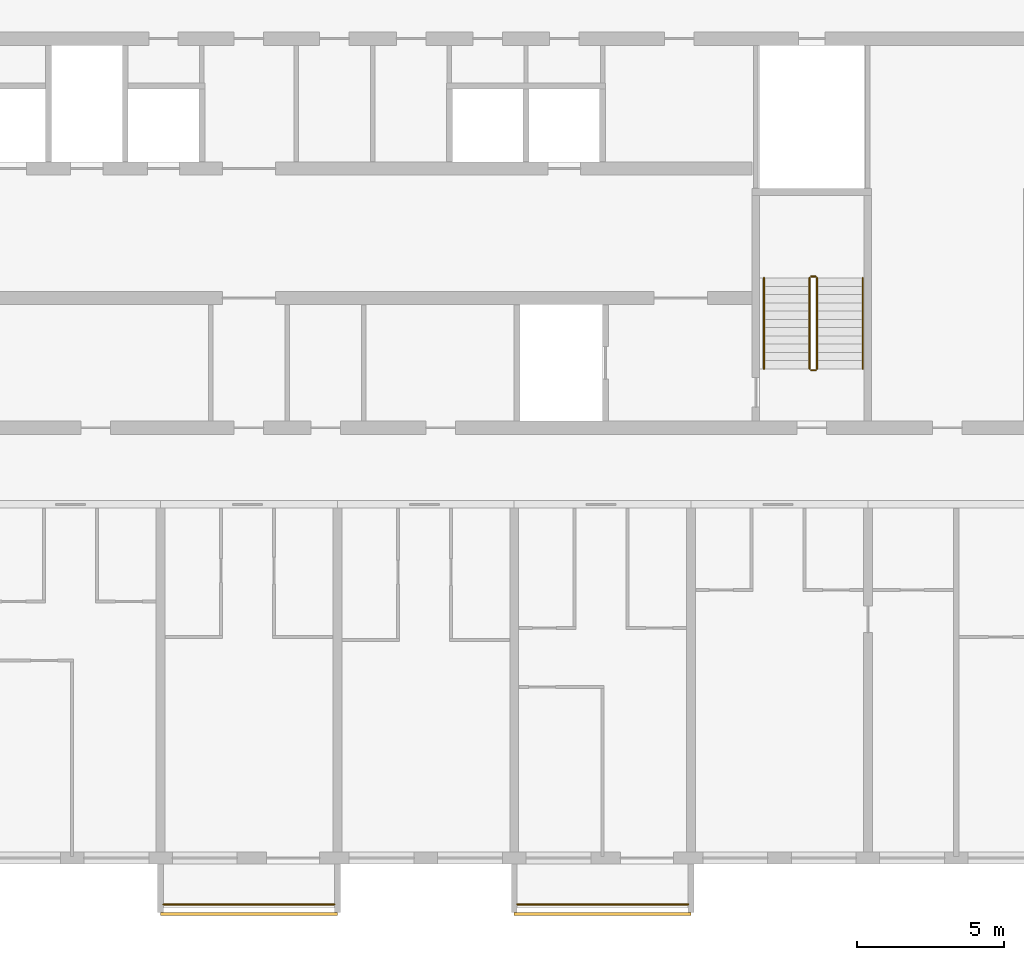
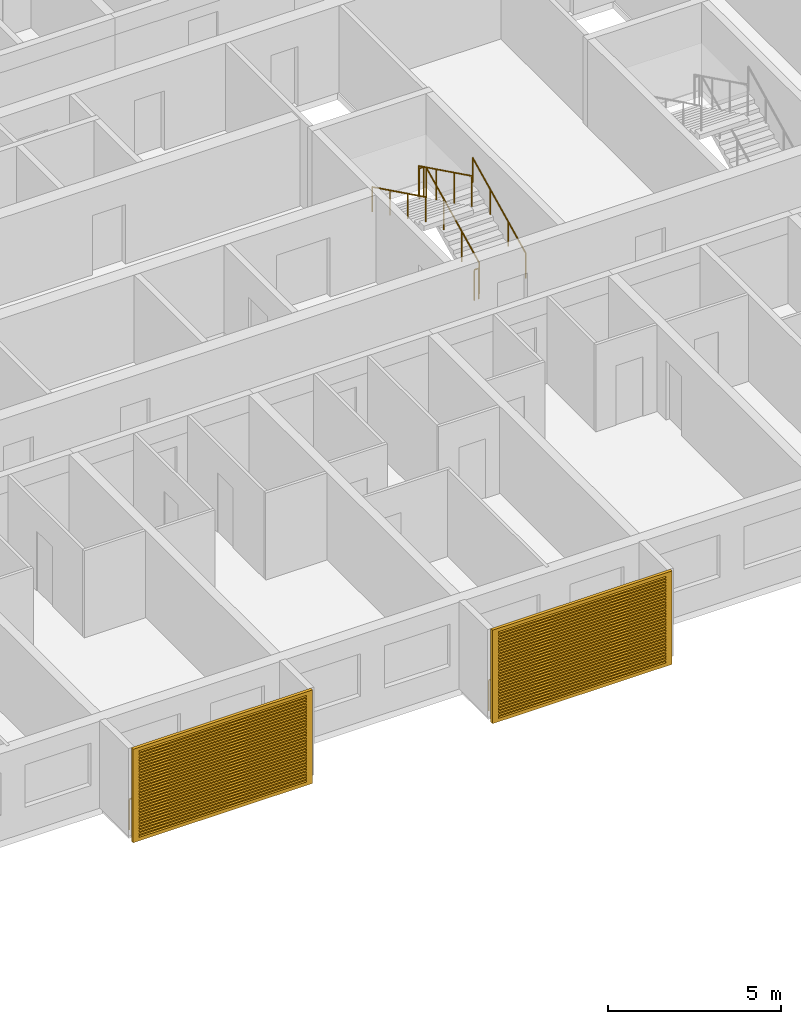
# One storey, part 15 of 31: 8 railings, 2 shading devices.
"""IFC4 building model written with IfcOpenShell, lengths in metres."""

import ifcopenshell
import ifcopenshell.guid

model = None  # the IFC model being written
_history = None  # IfcOwnerHistory: only IFC2X3 demands one
_inside = {}  # id of a spatial element -> (the spatial element, [elements in it])
_under = {}  # id of a project, library or spatial element -> (it, [spatial elements below it])
_declared = {}  # id of a project -> (the project, [libraries it declares])
_typed = {}  # id of a type object -> (the type object, [elements of that type])
_made_of = {}  # id of a material, layer set ... -> (it, [elements and type objects made of it])


def new_model(schema):
    """Start an empty IFC model of exactly this schema.

    Asked for "IFC4X3", IfcOpenShell would pick the latest addendum, in which some entities
    have other attributes; the version numbers below select the first issue.
    IFC2X3 requires an IfcOwnerHistory on every rooted entity: one is made here for all.
    """
    global model, _history
    if schema == "IFC4X3":
        model = ifcopenshell.file(schema_version=(4, 3, 0, 0))
    else:
        model = ifcopenshell.file(schema=schema)
    _inside.clear()
    _under.clear()
    _declared.clear()
    _typed.clear()
    _made_of.clear()
    _history = None
    if model.schema == "IFC2X3":
        org = make("IfcOrganization", Name="unknown")
        user = make(
            "IfcPersonAndOrganization",
            ThePerson=make("IfcPerson", FamilyName="unknown"),
            TheOrganization=org,
        )
        app = make(
            "IfcApplication",
            ApplicationDeveloper=org,
            Version="unknown",
            ApplicationFullName="unknown",
            ApplicationIdentifier="unknown",
        )
        _history = make(
            "IfcOwnerHistory",
            OwningUser=user,
            OwningApplication=app,
            ChangeAction="ADDED",
            CreationDate=0,
        )
    return model


def make(cls, **values):
    """One entity of the class cls with the attributes given. An attribute that is None is left unset."""
    return model.create_entity(
        cls, **{name: value for name, value in values.items() if value is not None}
    )


def rooted(cls, **values):
    """An entity with a GlobalId (a new one), such as an element, a storey or a relation."""
    return make(cls, GlobalId=ifcopenshell.guid.new(), OwnerHistory=_history, **values)


def si_unit(unit_type, name, prefix=None):
    """IfcSIUnit, for example si_unit("LENGTHUNIT", "METRE", prefix="MILLI")."""
    return make("IfcSIUnit", UnitType=unit_type, Prefix=prefix, Name=name)


def assignment(units):
    """IfcUnitAssignment: the units of a project."""
    return None if units is None else make("IfcUnitAssignment", Units=units)


def point(xyz):
    """IfcCartesianPoint."""
    return None if xyz is None else make("IfcCartesianPoint", Coordinates=xyz)


def direction(xyz):
    """IfcDirection."""
    return None if xyz is None else make("IfcDirection", DirectionRatios=xyz)


def frame(location, z_axis=None, x_axis=None):
    """IfcAxis2Placement3D, a coordinate frame: its origin and axes. An axis left out is left unset."""
    return make(
        "IfcAxis2Placement3D",
        Location=point(location),
        Axis=direction(z_axis),
        RefDirection=direction(x_axis),
    )


def frame_2d(location, x_axis=None):
    """IfcAxis2Placement2D, a coordinate frame in the plane: its origin and x axis."""
    return make(
        "IfcAxis2Placement2D", Location=point(location), RefDirection=direction(x_axis)
    )


def origin():
    """The frame at (0, 0, 0) with its axes left unset."""
    return frame((0.0, 0.0, 0.0))


def origin_2d():
    """The frame at (0, 0) in the plane with its x axis left unset."""
    return frame_2d((0.0, 0.0))


def place(relative_to, where):
    """IfcLocalPlacement: puts the frame where relative to a parent placement (None: the world)."""
    return make(
        "IfcLocalPlacement", PlacementRelTo=relative_to, RelativePlacement=where
    )


def context(
    kind, dimensions, precision=None, world=None, true_north=None, identifier=None
):
    """IfcGeometricRepresentationContext, for example the 3D "Model" context."""
    return make(
        "IfcGeometricRepresentationContext",
        ContextIdentifier=identifier,
        ContextType=kind,
        CoordinateSpaceDimension=dimensions,
        Precision=precision,
        WorldCoordinateSystem=world,
        TrueNorth=true_north,
    )


def subcontext(parent, identifier, kind, view, scale=None):
    """IfcGeometricRepresentationSubContext, for example "Body" below "Model"."""
    return make(
        "IfcGeometricRepresentationSubContext",
        ContextIdentifier=identifier,
        ContextType=kind,
        ParentContext=parent,
        TargetScale=scale,
        TargetView=view,
    )


def project(units=None, contexts=None):
    """IfcProject with its units and contexts."""
    return rooted(
        "IfcProject",
        Name="project",
        RepresentationContexts=contexts,
        UnitsInContext=assignment(units),
    )


def spatial(cls, under=None, at=None, **own):
    """A site, building, storey or space (cls), placed at a placement, below another one or the project."""
    s = rooted(cls, ObjectPlacement=at, **own)
    if under is not None:
        _under.setdefault(under.id(), (under, []))[1].append(s)
    return s


def polyline(points):
    """IfcPolyline through the points."""
    return make("IfcPolyline", Points=[point(p) for p in points])


def profile(cls, at=None, kind="AREA", **sizes):
    """A parametric profile (cls). Its sizes go by their IFC names, for example OverallWidth=200.0."""
    return make(cls, ProfileType=kind, Position=at, **sizes)


def circle(**sizes):
    """IfcCircleProfileDef."""
    return profile("IfcCircleProfileDef", **sizes)


def outline(outer, holes=None, kind="AREA"):
    """IfcArbitraryClosedProfileDef: a profile drawn as a closed curve; with holes, ...WithVoids."""
    if holes is None:
        return make("IfcArbitraryClosedProfileDef", ProfileType=kind, OuterCurve=outer)
    return make(
        "IfcArbitraryProfileDefWithVoids",
        ProfileType=kind,
        OuterCurve=outer,
        InnerCurves=holes,
    )


def extrude(swept, where, along, depth):
    """IfcExtrudedAreaSolid: the profile swept, set in the frame where, extruded along a direction by depth."""
    return make(
        "IfcExtrudedAreaSolid",
        SweptArea=swept,
        Position=where,
        ExtrudedDirection=direction(along),
        Depth=depth,
    )


def shape(context_of_items, identifier, shape_type, items):
    """IfcShapeRepresentation: the items that make up one representation, for example the "Body"."""
    return make(
        "IfcShapeRepresentation",
        ContextOfItems=context_of_items,
        RepresentationIdentifier=identifier,
        RepresentationType=shape_type,
        Items=items,
    )


def source(mapping_origin, context_of_items, identifier, shape_type, items):
    """IfcRepresentationMap: a shape defined once, which mapped items show again and again."""
    return make(
        "IfcRepresentationMap",
        MappingOrigin=mapping_origin,
        MappedRepresentation=shape(context_of_items, identifier, shape_type, items),
    )


def transform(
    local_origin,
    x_axis=None,
    y_axis=None,
    z_axis=None,
    scale=None,
    scale2=None,
    scale3=None,
    uniform=True,
):
    """IfcCartesianTransformationOperator3D, or its non-uniform kind. x_axis, y_axis, z_axis: its Axis1, 2, 3."""
    if uniform:
        return make(
            "IfcCartesianTransformationOperator3D",
            Axis1=direction(x_axis),
            Axis2=direction(y_axis),
            LocalOrigin=point(local_origin),
            Scale=scale,
            Axis3=direction(z_axis),
        )
    return make(
        "IfcCartesianTransformationOperator3DnonUniform",
        Axis1=direction(x_axis),
        Axis2=direction(y_axis),
        LocalOrigin=point(local_origin),
        Scale=scale,
        Axis3=direction(z_axis),
        Scale2=scale2,
        Scale3=scale3,
    )


def mapped(mapping_source, mapping_target):
    """IfcMappedItem: shows the shape of a source again, moved by a transform."""
    return make(
        "IfcMappedItem", MappingSource=mapping_source, MappingTarget=mapping_target
    )


def material(Name=None, Category=None):
    """IfcMaterial."""
    return make("IfcMaterial", Name=Name, Category=Category)


def material_profile(
    of_material, cross_section, Name=None, Category=None, Priority=None
):
    """IfcMaterialProfile: a cross section and its material."""
    return make(
        "IfcMaterialProfile",
        Name=Name,
        Material=of_material,
        Profile=cross_section,
        Priority=Priority,
        Category=Category,
    )


def profile_set(profiles, Name=None, composite=None):
    """IfcMaterialProfileSet."""
    return make(
        "IfcMaterialProfileSet",
        Name=Name,
        MaterialProfiles=profiles,
        CompositeProfile=composite,
    )


def made_of(thing, what):
    """Note that an element or type object is made of a material, layer set ...; save() writes the relation."""
    if what is not None:
        _made_of.setdefault(what.id(), (what, []))[1].append(thing)
    return thing


def type_object(cls, material=None, **own):
    """A type object (cls), such as IfcWallType, which elements share."""
    return made_of(rooted(cls, **own), material)


def element(
    cls,
    number,
    at=None,
    inside=None,
    cuts=None,
    type_object=None,
    material=None,
    context=None,
    identifier="Body",
    shape_type=None,
    held_by="IfcProductDefinitionShape",
    body=None,
    shapes=None,
    **own,
):
    """One element of the class cls, such as IfcWall. Its Tag is "e" and its number.

    at: its placement. inside: the storey or other place that contains it. cuts: it is an
    opening in that element (IfcRelVoidsElement). A single representation is given by context,
    identifier, shape_type and body (its items); several are given by shapes. held_by: the class
    of the entity that holds the representations. save() writes the other relations.
    """
    e = rooted(cls, Tag="e%d" % number, ObjectPlacement=at, **own)
    if body is not None:
        shapes = [shape(context, identifier, shape_type, body)]
    if shapes is not None:
        e.Representation = make(held_by, Representations=shapes)
    if inside is not None:
        _inside.setdefault(inside.id(), (inside, []))[1].append(e)
    if cuts is not None:
        rooted(
            "IfcRelVoidsElement", RelatingBuildingElement=cuts, RelatedOpeningElement=e
        )
    if type_object is not None:
        _typed.setdefault(type_object.id(), (type_object, []))[1].append(e)
    return made_of(e, material)


def aggregate(whole, parts):
    """IfcRelAggregates: a whole, such as a stair, and the parts it consists of."""
    return rooted("IfcRelAggregates", RelatingObject=whole, RelatedObjects=parts)


def save(model, path):
    """Write the relations noted so far, then the file.

    IfcRelAggregates (storeys below a building ...), IfcRelContainedInSpatialStructure (elements
    in a storey), IfcRelDefinesByType, IfcRelAssociatesMaterial and IfcRelDeclares: one each for
    every whole, place, type object, material and project.
    """
    for whole, parts in _under.values():
        aggregate(whole, parts)
    for where, things in _inside.values():
        rooted(
            "IfcRelContainedInSpatialStructure",
            RelatedElements=things,
            RelatingStructure=where,
        )
    for kind, things in _typed.values():
        rooted("IfcRelDefinesByType", RelatedObjects=things, RelatingType=kind)
    for what, things in _made_of.values():
        rooted("IfcRelAssociatesMaterial", RelatedObjects=things, RelatingMaterial=what)
    for by, libraries in _declared.values():
        rooted("IfcRelDeclares", RelatingContext=by, RelatedDefinitions=libraries)
    model.write(path)


model = new_model("IFC4")

# Units and contexts
model_context = context("Model", 3, precision=1e-05, world=origin(), true_north=direction((0.0, 1.0)))
body_context = subcontext(model_context, "Body", "Model", "MODEL_VIEW")
ifc_project = project(units=[si_unit("LENGTHUNIT", "METRE"), si_unit("AREAUNIT", "SQUARE_METRE"), si_unit("VOLUMEUNIT", "CUBIC_METRE"), si_unit("PLANEANGLEUNIT", "RADIAN"), si_unit("MASSUNIT", "GRAM", prefix="KILO")], contexts=[model_context])

# Site, building, storey
site_placement = place(None, origin())
site = spatial("IfcSite", under=ifc_project, at=site_placement, CompositionType="ELEMENT")
building_placement = place(site_placement, origin())
building = spatial("IfcBuilding", under=site, at=building_placement, Name="Poui Terraces", CompositionType="ELEMENT")
storey_placement = place(building_placement, frame((0.0, 0.0, 145.5)))
storey = spatial("IfcBuildingStorey", under=building, at=storey_placement, Name="L40", CompositionType="ELEMENT", Elevation=145.5)

# Railings
ifc_material_1 = material(Name="Painted steel fretwork", Category="steel")
railing_type_1 = type_object("IfcRailingType", Name="BALCONY GUARD 1100", PredefinedType="GUARDRAIL", material=ifc_material_1)
for number, where, name in (
    (1, (48.10009765625, -1.570068359375, 0.0), "BALCONY GUARD"),
    (2, (60.10009765625, -1.570068359375, 0.0), "BALCONY GUARD"),
):
    element("IfcRailing", number, at=place(storey_placement, frame(where)), inside=storey, type_object=railing_type_1, Name=name, PredefinedType="GUARDRAIL", context=body_context, shape_type="SweptSolid", body=[
        extrude(circle(Radius=0.02392578125, at=origin_2d()), frame((0.0, 0.0, 1.076171875), z_axis=(1.0, 0.0, 0.0), x_axis=(0.0, 1.0, 0.0)), (0.0, 0.0, 1.0), 5.7998046875),
        extrude(circle(Radius=0.02099609375, at=origin_2d()), origin(), (0.0, 0.0, 1.0), 1.052001953125),
        extrude(circle(Radius=0.02099609375, at=origin_2d()), frame((0.966552734375, 0.0, 0.0)), (0.0, 0.0, 1.0), 1.052001953125),
        extrude(circle(Radius=0.02099609375, at=origin_2d()), frame((1.933349609375, 0.0, 0.0)), (0.0, 0.0, 1.0), 1.052001953125),
        extrude(circle(Radius=0.02099609375, at=origin_2d()), frame((2.89990234375, 0.0, 0.0)), (0.0, 0.0, 1.0), 1.052001953125),
        extrude(circle(Radius=0.02099609375, at=origin_2d()), frame((3.866455078125, 0.0, 0.0)), (0.0, 0.0, 1.0), 1.052001953125),
        extrude(circle(Radius=0.02099609375, at=origin_2d()), frame((4.833251953125, 0.0, 0.0)), (0.0, 0.0, 1.0), 1.052001953125),
        extrude(circle(Radius=0.02099609375, at=origin_2d()), frame((5.7998046875, 0.0, 0.0)), (0.0, 0.0, 1.0), 1.052001953125),
    ])
ifc_material_2 = material(Name="Galvanised steel balustrade", Category="steel")
railing_type_2 = type_object("IfcRailingType", Name="STAIR GUARD 1100", PredefinedType="GUARDRAIL", material=ifc_material_2)
railing_1_placement = place(storey_placement, frame((70.27490234375, 16.60009765625, 0.137451171875)))
element("IfcRailing", 3, at=railing_1_placement, inside=storey, type_object=railing_type_2, Name="L40 ST-CE stair guard 1", PredefinedType="GUARDRAIL", context=body_context, shape_type="SweptSolid", body=[
    extrude(circle(Radius=0.02392578125, at=origin_2d()), frame((0.0, 0.0, 1.076171875), z_axis=(0.0, 0.897606190399, 0.440798283751), x_axis=(-1.0, 0.0, 0.0)), (0.0, 0.0, 1.0), 3.43115234375),
    extrude(circle(Radius=0.02099609375, at=origin_2d()), origin(), (0.0, 0.0, 1.0), 1.052001953125),
    extrude(circle(Radius=0.02099609375, at=origin_2d()), frame((0.0, 1.026611328125, 0.504150390625)), (0.0, 0.0, 1.0), 1.052001953125),
    extrude(circle(Radius=0.02099609375, at=origin_2d()), frame((0.0, 2.05322265625, 1.00830078125)), (0.0, 0.0, 1.0), 1.052001953125),
    extrude(circle(Radius=0.02099609375, at=origin_2d()), frame((0.0, 3.079833984375, 1.512451171875)), (0.0, 0.0, 1.0), 1.052001953125),
])
railing_2_placement = place(storey_placement, frame((70.22509765625, 19.72998046875, 1.64990234375)))
element("IfcRailing", 4, at=railing_2_placement, inside=storey, type_object=railing_type_2, Name="L40 ST-CE stair guard 2", PredefinedType="GUARDRAIL", context=body_context, shape_type="SweptSolid", body=[
    extrude(circle(Radius=0.02392578125, at=origin_2d()), frame((0.0, 0.0, 1.076171875), z_axis=(-1.0, 0.0, 0.0), x_axis=(0.0, -1.0, 0.0)), (0.0, 0.0, 1.0), 0.150146484375),
    extrude(circle(Radius=0.02099609375, at=origin_2d()), origin(), (0.0, 0.0, 1.0), 1.052001953125),
    extrude(circle(Radius=0.02099609375, at=origin_2d()), frame((-0.150146484375, 0.0, 0.0)), (0.0, 0.0, 1.0), 1.052001953125),
])
railing_3_placement = place(storey_placement, frame((70.02490234375, 19.679931640625, 1.78759765625)))
element("IfcRailing", 5, at=railing_3_placement, inside=storey, type_object=railing_type_2, Name="L40 ST-CE stair guard 3", PredefinedType="GUARDRAIL", context=body_context, shape_type="SweptSolid", body=[
    extrude(circle(Radius=0.02392578125, at=origin_2d()), frame((0.0, 0.0, 1.076171875), z_axis=(0.0, -0.897606190399, 0.440798283751), x_axis=(1.0, 0.0, 0.0)), (0.0, 0.0, 1.0), 3.43115234375),
    extrude(circle(Radius=0.02099609375, at=origin_2d()), origin(), (0.0, 0.0, 1.0), 1.052001953125),
    extrude(circle(Radius=0.02099609375, at=origin_2d()), frame((0.0, -1.026611328125, 0.504150390625)), (0.0, 0.0, 1.0), 1.052001953125),
    extrude(circle(Radius=0.02099609375, at=origin_2d()), frame((0.0, -2.05322265625, 1.00830078125)), (0.0, 0.0, 1.0), 1.052001953125),
    extrude(circle(Radius=0.02099609375, at=origin_2d()), frame((0.0, -3.079833984375, 1.512451171875)), (0.0, 0.0, 1.0), 1.052001953125),
])
railing_4_placement = place(storey_placement, frame((70.22509765625, 16.550048828125, 0.0)))
element("IfcRailing", 6, at=railing_4_placement, inside=storey, type_object=railing_type_2, Name="L40 ST-CE stair guard 4", PredefinedType="GUARDRAIL", context=body_context, shape_type="SweptSolid", body=[
    extrude(circle(Radius=0.02392578125, at=origin_2d()), frame((0.0, 0.0, 1.076171875), z_axis=(-1.0, 0.0, 0.0), x_axis=(0.0, -1.0, 0.0)), (0.0, 0.0, 1.0), 0.150146484375),
    extrude(circle(Radius=0.02099609375, at=origin_2d()), origin(), (0.0, 0.0, 1.0), 1.052001953125),
    extrude(circle(Radius=0.02099609375, at=origin_2d()), frame((-0.150146484375, 0.0, 0.0)), (0.0, 0.0, 1.0), 1.052001953125),
])
ifc_material_3 = material(Name="Stainless steel handrail", Category="steel")
railing_type_3 = type_object("IfcRailingType", Name="STAIR HANDRAIL 900", PredefinedType="HANDRAIL", material=ifc_material_3)
railing_5_placement = place(storey_placement, frame((71.824951171875, 16.60009765625, 0.137451171875)))
element("IfcRailing", 7, at=railing_5_placement, inside=storey, type_object=railing_type_3, Name="L40 ST-CE stair handrail 1", PredefinedType="HANDRAIL", context=body_context, shape_type="SweptSolid", body=[
    extrude(circle(Radius=0.02392578125, at=origin_2d()), frame((0.0, 0.0, 0.8759765625), z_axis=(0.0, 0.897606190399, 0.440798283751), x_axis=(-1.0, 0.0, 0.0)), (0.0, 0.0, 1.0), 3.43115234375),
    extrude(circle(Radius=0.02099609375, at=origin_2d()), origin(), (0.0, 0.0, 1.0), 0.851806640625),
    extrude(circle(Radius=0.02099609375, at=origin_2d()), frame((0.0, 1.026611328125, 0.504150390625)), (0.0, 0.0, 1.0), 0.851806640625),
    extrude(circle(Radius=0.02099609375, at=origin_2d()), frame((0.0, 2.05322265625, 1.00830078125)), (0.0, 0.0, 1.0), 0.851806640625),
    extrude(circle(Radius=0.02099609375, at=origin_2d()), frame((0.0, 3.079833984375, 1.512451171875)), (0.0, 0.0, 1.0), 0.851806640625),
])
railing_6_placement = place(storey_placement, frame((68.47509765625, 19.679931640625, 1.78759765625)))
element("IfcRailing", 8, at=railing_6_placement, inside=storey, type_object=railing_type_3, Name="L40 ST-CE stair handrail 2", PredefinedType="HANDRAIL", context=body_context, shape_type="SweptSolid", body=[
    extrude(circle(Radius=0.02392578125, at=origin_2d()), frame((0.0, 0.0, 0.8759765625), z_axis=(0.0, -0.897606190399, 0.440798283751), x_axis=(1.0, 0.0, 0.0)), (0.0, 0.0, 1.0), 3.43115234375),
    extrude(circle(Radius=0.02099609375, at=origin_2d()), origin(), (0.0, 0.0, 1.0), 0.851806640625),
    extrude(circle(Radius=0.02099609375, at=origin_2d()), frame((0.0, -1.026611328125, 0.504150390625)), (0.0, 0.0, 1.0), 0.851806640625),
    extrude(circle(Radius=0.02099609375, at=origin_2d()), frame((0.0, -2.05322265625, 1.00830078125)), (0.0, 0.0, 1.0), 0.851806640625),
    extrude(circle(Radius=0.02099609375, at=origin_2d()), frame((0.0, -3.079833984375, 1.512451171875)), (0.0, 0.0, 1.0), 0.851806640625),
])

# Shading devices
ifc_material_4 = material(Name="Aluminium louvre", Category="aluminium")
ifc_material_profile = material_profile(ifc_material_4, outline(polyline([(-3.0, -1.64990234375), (3.0, -1.64990234375), (3.0, 1.64990234375), (-3.0, 1.64990234375), (-3.0, -1.64990234375)]), holes=[polyline([(-2.800048828125, -1.530029296875), (2.800048828125, -1.530029296875), (2.800048828125, -1.469970703125), (-2.800048828125, -1.469970703125), (-2.800048828125, -1.530029296875)]), polyline([(-2.800048828125, -1.429931640625), (2.800048828125, -1.429931640625), (2.800048828125, -1.3701171875), (-2.800048828125, -1.3701171875), (-2.800048828125, -1.429931640625)]), polyline([(-2.800048828125, -1.330078125), (2.800048828125, -1.330078125), (2.800048828125, -1.27001953125), (-2.800048828125, -1.27001953125), (-2.800048828125, -1.330078125)]), polyline([(-2.800048828125, -1.22998046875), (2.800048828125, -1.22998046875), (2.800048828125, -1.169921875), (-2.800048828125, -1.169921875), (-2.800048828125, -1.22998046875)]), polyline([(-2.800048828125, -1.1298828125), (2.800048828125, -1.1298828125), (2.800048828125, -1.070068359375), (-2.800048828125, -1.070068359375), (-2.800048828125, -1.1298828125)]), polyline([(-2.800048828125, -1.030029296875), (2.800048828125, -1.030029296875), (2.800048828125, -0.969970703125), (-2.800048828125, -0.969970703125), (-2.800048828125, -1.030029296875)]), polyline([(-2.800048828125, -0.929931640625), (2.800048828125, -0.929931640625), (2.800048828125, -0.8701171875), (-2.800048828125, -0.8701171875), (-2.800048828125, -0.929931640625)]), polyline([(-2.800048828125, -0.830078125), (2.800048828125, -0.830078125), (2.800048828125, -0.77001953125), (-2.800048828125, -0.77001953125), (-2.800048828125, -0.830078125)]), polyline([(-2.800048828125, -0.72998046875), (2.800048828125, -0.72998046875), (2.800048828125, -0.669921875), (-2.800048828125, -0.669921875), (-2.800048828125, -0.72998046875)]), polyline([(-2.800048828125, -0.6298828125), (2.800048828125, -0.6298828125), (2.800048828125, -0.570068359375), (-2.800048828125, -0.570068359375), (-2.800048828125, -0.6298828125)]), polyline([(-2.800048828125, -0.530029296875), (2.800048828125, -0.530029296875), (2.800048828125, -0.469970703125), (-2.800048828125, -0.469970703125), (-2.800048828125, -0.530029296875)]), polyline([(-2.800048828125, -0.429931640625), (2.800048828125, -0.429931640625), (2.800048828125, -0.3701171875), (-2.800048828125, -0.3701171875), (-2.800048828125, -0.429931640625)]), polyline([(-2.800048828125, -0.330078125), (2.800048828125, -0.330078125), (2.800048828125, -0.27001953125), (-2.800048828125, -0.27001953125), (-2.800048828125, -0.330078125)]), polyline([(-2.800048828125, -0.22998046875), (2.800048828125, -0.22998046875), (2.800048828125, -0.169921875), (-2.800048828125, -0.169921875), (-2.800048828125, -0.22998046875)]), polyline([(-2.800048828125, -0.1298828125), (2.800048828125, -0.1298828125), (2.800048828125, -0.070068359375), (-2.800048828125, -0.070068359375), (-2.800048828125, -0.1298828125)]), polyline([(-2.800048828125, -0.030029296875), (2.800048828125, -0.030029296875), (2.800048828125, 0.030029296875), (-2.800048828125, 0.030029296875), (-2.800048828125, -0.030029296875)]), polyline([(-2.800048828125, 0.070068359375), (2.800048828125, 0.070068359375), (2.800048828125, 0.1298828125), (-2.800048828125, 0.1298828125), (-2.800048828125, 0.070068359375)]), polyline([(-2.800048828125, 0.169921875), (2.800048828125, 0.169921875), (2.800048828125, 0.22998046875), (-2.800048828125, 0.22998046875), (-2.800048828125, 0.169921875)]), polyline([(-2.800048828125, 0.27001953125), (2.800048828125, 0.27001953125), (2.800048828125, 0.330078125), (-2.800048828125, 0.330078125), (-2.800048828125, 0.27001953125)]), polyline([(-2.800048828125, 0.3701171875), (2.800048828125, 0.3701171875), (2.800048828125, 0.429931640625), (-2.800048828125, 0.429931640625), (-2.800048828125, 0.3701171875)]), polyline([(-2.800048828125, 0.469970703125), (2.800048828125, 0.469970703125), (2.800048828125, 0.530029296875), (-2.800048828125, 0.530029296875), (-2.800048828125, 0.469970703125)]), polyline([(-2.800048828125, 0.570068359375), (2.800048828125, 0.570068359375), (2.800048828125, 0.6298828125), (-2.800048828125, 0.6298828125), (-2.800048828125, 0.570068359375)]), polyline([(-2.800048828125, 0.669921875), (2.800048828125, 0.669921875), (2.800048828125, 0.72998046875), (-2.800048828125, 0.72998046875), (-2.800048828125, 0.669921875)]), polyline([(-2.800048828125, 0.77001953125), (2.800048828125, 0.77001953125), (2.800048828125, 0.830078125), (-2.800048828125, 0.830078125), (-2.800048828125, 0.77001953125)]), polyline([(-2.800048828125, 0.8701171875), (2.800048828125, 0.8701171875), (2.800048828125, 0.929931640625), (-2.800048828125, 0.929931640625), (-2.800048828125, 0.8701171875)]), polyline([(-2.800048828125, 0.969970703125), (2.800048828125, 0.969970703125), (2.800048828125, 1.030029296875), (-2.800048828125, 1.030029296875), (-2.800048828125, 0.969970703125)]), polyline([(-2.800048828125, 1.070068359375), (2.800048828125, 1.070068359375), (2.800048828125, 1.1298828125), (-2.800048828125, 1.1298828125), (-2.800048828125, 1.070068359375)]), polyline([(-2.800048828125, 1.169921875), (2.800048828125, 1.169921875), (2.800048828125, 1.22998046875), (-2.800048828125, 1.22998046875), (-2.800048828125, 1.169921875)]), polyline([(-2.800048828125, 1.27001953125), (2.800048828125, 1.27001953125), (2.800048828125, 1.330078125), (-2.800048828125, 1.330078125), (-2.800048828125, 1.27001953125)]), polyline([(-2.800048828125, 1.3701171875), (2.800048828125, 1.3701171875), (2.800048828125, 1.429931640625), (-2.800048828125, 1.429931640625), (-2.800048828125, 1.3701171875)]), polyline([(-2.800048828125, 1.469970703125), (2.800048828125, 1.469970703125), (2.800048828125, 1.530029296875), (-2.800048828125, 1.530029296875), (-2.800048828125, 1.469970703125)])]), Name="JALOUSIE LOUVRE SHUTTER 6000X3300")
ifc_profile_set = profile_set([ifc_material_profile], Name="Aluminium louvre")
shading_device_type = type_object("IfcShadingDeviceType", Name="JALOUSIE LOUVRE SHUTTER 6000X3300", PredefinedType="JALOUSIE", material=ifc_profile_set)
shared_shape = source(origin(), body_context, "Body", "SweptSolid", [
    extrude(outline(polyline([(-3.0, -1.64990234375), (3.0, -1.64990234375), (3.0, 1.64990234375), (-3.0, 1.64990234375), (-3.0, -1.64990234375)]), holes=[polyline([(-2.800048828125, -1.530029296875), (2.800048828125, -1.530029296875), (2.800048828125, -1.469970703125), (-2.800048828125, -1.469970703125), (-2.800048828125, -1.530029296875)]), polyline([(-2.800048828125, -1.429931640625), (2.800048828125, -1.429931640625), (2.800048828125, -1.3701171875), (-2.800048828125, -1.3701171875), (-2.800048828125, -1.429931640625)]), polyline([(-2.800048828125, -1.330078125), (2.800048828125, -1.330078125), (2.800048828125, -1.27001953125), (-2.800048828125, -1.27001953125), (-2.800048828125, -1.330078125)]), polyline([(-2.800048828125, -1.22998046875), (2.800048828125, -1.22998046875), (2.800048828125, -1.169921875), (-2.800048828125, -1.169921875), (-2.800048828125, -1.22998046875)]), polyline([(-2.800048828125, -1.1298828125), (2.800048828125, -1.1298828125), (2.800048828125, -1.070068359375), (-2.800048828125, -1.070068359375), (-2.800048828125, -1.1298828125)]), polyline([(-2.800048828125, -1.030029296875), (2.800048828125, -1.030029296875), (2.800048828125, -0.969970703125), (-2.800048828125, -0.969970703125), (-2.800048828125, -1.030029296875)]), polyline([(-2.800048828125, -0.929931640625), (2.800048828125, -0.929931640625), (2.800048828125, -0.8701171875), (-2.800048828125, -0.8701171875), (-2.800048828125, -0.929931640625)]), polyline([(-2.800048828125, -0.830078125), (2.800048828125, -0.830078125), (2.800048828125, -0.77001953125), (-2.800048828125, -0.77001953125), (-2.800048828125, -0.830078125)]), polyline([(-2.800048828125, -0.72998046875), (2.800048828125, -0.72998046875), (2.800048828125, -0.669921875), (-2.800048828125, -0.669921875), (-2.800048828125, -0.72998046875)]), polyline([(-2.800048828125, -0.6298828125), (2.800048828125, -0.6298828125), (2.800048828125, -0.570068359375), (-2.800048828125, -0.570068359375), (-2.800048828125, -0.6298828125)]), polyline([(-2.800048828125, -0.530029296875), (2.800048828125, -0.530029296875), (2.800048828125, -0.469970703125), (-2.800048828125, -0.469970703125), (-2.800048828125, -0.530029296875)]), polyline([(-2.800048828125, -0.429931640625), (2.800048828125, -0.429931640625), (2.800048828125, -0.3701171875), (-2.800048828125, -0.3701171875), (-2.800048828125, -0.429931640625)]), polyline([(-2.800048828125, -0.330078125), (2.800048828125, -0.330078125), (2.800048828125, -0.27001953125), (-2.800048828125, -0.27001953125), (-2.800048828125, -0.330078125)]), polyline([(-2.800048828125, -0.22998046875), (2.800048828125, -0.22998046875), (2.800048828125, -0.169921875), (-2.800048828125, -0.169921875), (-2.800048828125, -0.22998046875)]), polyline([(-2.800048828125, -0.1298828125), (2.800048828125, -0.1298828125), (2.800048828125, -0.070068359375), (-2.800048828125, -0.070068359375), (-2.800048828125, -0.1298828125)]), polyline([(-2.800048828125, -0.030029296875), (2.800048828125, -0.030029296875), (2.800048828125, 0.030029296875), (-2.800048828125, 0.030029296875), (-2.800048828125, -0.030029296875)]), polyline([(-2.800048828125, 0.070068359375), (2.800048828125, 0.070068359375), (2.800048828125, 0.1298828125), (-2.800048828125, 0.1298828125), (-2.800048828125, 0.070068359375)]), polyline([(-2.800048828125, 0.169921875), (2.800048828125, 0.169921875), (2.800048828125, 0.22998046875), (-2.800048828125, 0.22998046875), (-2.800048828125, 0.169921875)]), polyline([(-2.800048828125, 0.27001953125), (2.800048828125, 0.27001953125), (2.800048828125, 0.330078125), (-2.800048828125, 0.330078125), (-2.800048828125, 0.27001953125)]), polyline([(-2.800048828125, 0.3701171875), (2.800048828125, 0.3701171875), (2.800048828125, 0.429931640625), (-2.800048828125, 0.429931640625), (-2.800048828125, 0.3701171875)]), polyline([(-2.800048828125, 0.469970703125), (2.800048828125, 0.469970703125), (2.800048828125, 0.530029296875), (-2.800048828125, 0.530029296875), (-2.800048828125, 0.469970703125)]), polyline([(-2.800048828125, 0.570068359375), (2.800048828125, 0.570068359375), (2.800048828125, 0.6298828125), (-2.800048828125, 0.6298828125), (-2.800048828125, 0.570068359375)]), polyline([(-2.800048828125, 0.669921875), (2.800048828125, 0.669921875), (2.800048828125, 0.72998046875), (-2.800048828125, 0.72998046875), (-2.800048828125, 0.669921875)]), polyline([(-2.800048828125, 0.77001953125), (2.800048828125, 0.77001953125), (2.800048828125, 0.830078125), (-2.800048828125, 0.830078125), (-2.800048828125, 0.77001953125)]), polyline([(-2.800048828125, 0.8701171875), (2.800048828125, 0.8701171875), (2.800048828125, 0.929931640625), (-2.800048828125, 0.929931640625), (-2.800048828125, 0.8701171875)]), polyline([(-2.800048828125, 0.969970703125), (2.800048828125, 0.969970703125), (2.800048828125, 1.030029296875), (-2.800048828125, 1.030029296875), (-2.800048828125, 0.969970703125)]), polyline([(-2.800048828125, 1.070068359375), (2.800048828125, 1.070068359375), (2.800048828125, 1.1298828125), (-2.800048828125, 1.1298828125), (-2.800048828125, 1.070068359375)]), polyline([(-2.800048828125, 1.169921875), (2.800048828125, 1.169921875), (2.800048828125, 1.22998046875), (-2.800048828125, 1.22998046875), (-2.800048828125, 1.169921875)]), polyline([(-2.800048828125, 1.27001953125), (2.800048828125, 1.27001953125), (2.800048828125, 1.330078125), (-2.800048828125, 1.330078125), (-2.800048828125, 1.27001953125)]), polyline([(-2.800048828125, 1.3701171875), (2.800048828125, 1.3701171875), (2.800048828125, 1.429931640625), (-2.800048828125, 1.429931640625), (-2.800048828125, 1.3701171875)]), polyline([(-2.800048828125, 1.469970703125), (2.800048828125, 1.469970703125), (2.800048828125, 1.530029296875), (-2.800048828125, 1.530029296875), (-2.800048828125, 1.469970703125)])]), origin(), (0.0, 0.0, 1.0), 0.099853515625),
])
for number, where, z_axis, x_axis, name in (
    (9, (51.0, -1.85009765625, 1.449951171875), (0.0, -1.0, 0.0), (1.0, 0.0, 0.0), "JALOUSIE LOUVRE SHUTTER"),
    (10, (63.0, -1.85009765625, 1.449951171875), (0.0, -1.0, 0.0), (1.0, 0.0, 0.0), "JALOUSIE LOUVRE SHUTTER"),
):
    element("IfcShadingDevice", number, at=place(storey_placement, frame(where, z_axis=z_axis, x_axis=x_axis)), inside=storey, type_object=shading_device_type, Name=name, PredefinedType="JALOUSIE", context=body_context, shape_type="MappedRepresentation", body=[
        mapped(shared_shape, transform((0.0, 0.0, 0.0))),
    ])

save(model, "model.ifc")
